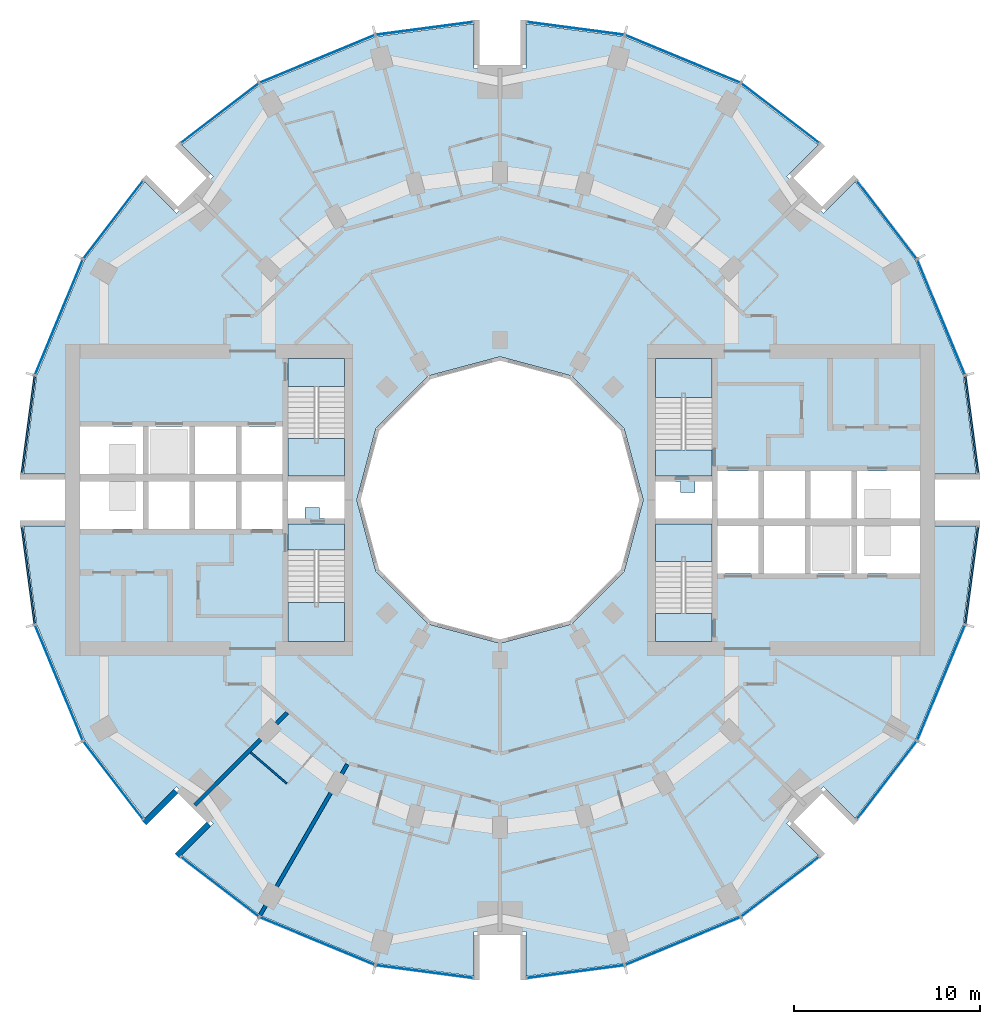
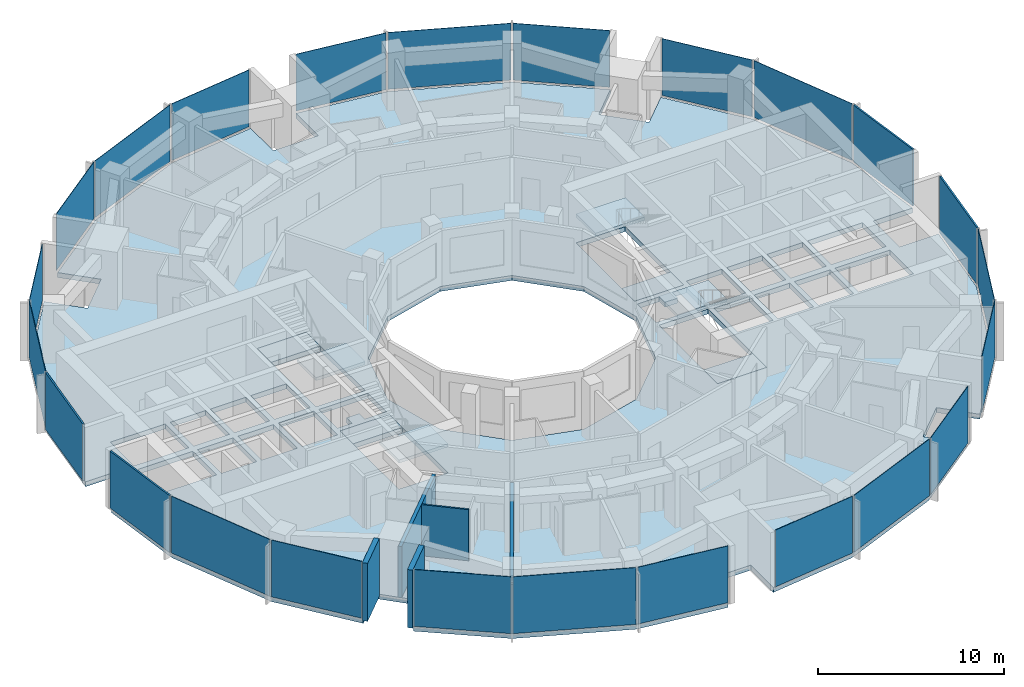
# One storey, part 7 of 15: 24 plates, 9 slabs, 5 walls, 28 elements without a shape of their own.
"""IFC4 building model written with IfcOpenShell, lengths in metres."""

from ifc_helpers import new_model, si_unit, direction, frame, frame_2d, origin, origin_2d, place, context, subcontext, project, spatial, polyline, rectangle, outline, extrude, material, layer, layer_set, type_object, element, aggregate, save


model = new_model("IFC4")

# Units and contexts
model_context = context("Model", 3, precision=1e-05, world=origin(), true_north=direction((0.0, 1.0)))
body_context = subcontext(model_context, "Body", "Model", "MODEL_VIEW")
ifc_project = project(units=[si_unit("LENGTHUNIT", "METRE"), si_unit("AREAUNIT", "SQUARE_METRE"), si_unit("VOLUMEUNIT", "CUBIC_METRE"), si_unit("PLANEANGLEUNIT", "RADIAN"), si_unit("MASSUNIT", "GRAM", prefix="KILO")], contexts=[model_context])

# Site, building, storey
site_placement = place(None, origin())
site = spatial("IfcSite", under=ifc_project, at=site_placement, CompositionType="ELEMENT")
building_placement = place(site_placement, origin())
building = spatial("IfcBuilding", under=site, at=building_placement, Name="Torre Brocal", CompositionType="ELEMENT")
storey_placement = place(building_placement, frame((0.0, 0.0, 47.800048828125)))
storey = spatial("IfcBuildingStorey", under=building, at=storey_placement, Name="L10", CompositionType="ELEMENT", Elevation=47.800048828125)

# Curtain wall, plate
ifc_material_1 = material(Name="Aluminium and glass", Category="aluminium")
ifc_layer_1 = layer(ifc_material_1, 0.199951171875)
ifc_layer_set_1 = layer_set([ifc_layer_1], Name="Aluminium and glass")
curtain_wall_type_1 = type_object("IfcCurtainWallType", Name="CW-1 CURTAIN WALL 3800 HIGH", PredefinedType="NOTDEFINED", material=ifc_layer_set_1)
curtain_wall_1_placement = place(storey_placement, origin())
curtain_wall_1 = element("IfcCurtainWall", 1, at=curtain_wall_1_placement, inside=storey, type_object=curtain_wall_type_1, Name="CW-1 RUN 2", PredefinedType="NOTDEFINED")
ifc_material_2 = material(Name="Glass, dark tinted laminated", Category="glass")
ifc_layer_2 = layer(ifc_material_2, 0.031982421875)
ifc_layer_set_2 = layer_set([ifc_layer_2], Name="Glass, dark tinted laminated")
plate_type_1 = type_object("IfcPlateType", Name="CW-1 GLASS PANEL 32", PredefinedType="CURTAIN_PANEL", material=ifc_layer_set_2)
plate_1_placement = place(storey_placement, frame((103.722900390625, 84.826416015625, 0.080078125), z_axis=(0.0, 0.0, 1.0), x_axis=(-0.382683432333, 0.923879532525, 0.0)))
plate_1 = element("IfcPlate", 2, at=plate_1_placement, type_object=plate_type_1, Name="CW1-1 panel 1.1", PredefinedType="CURTAIN_PANEL", context=body_context, shape_type="SweptSolid", body=[
    extrude(rectangle(XDim=6.64111328125, YDim=0.031982421875, at=origin_2d()), origin(), (0.0, 0.0, 1.0), 3.719970703125),
])
aggregate(curtain_wall_1, [plate_1])

curtain_wall_2_placement = place(storey_placement, origin())
curtain_wall_2 = element("IfcCurtainWall", 3, at=curtain_wall_2_placement, inside=storey, type_object=curtain_wall_type_1, Name="CW-1 RUN 3", PredefinedType="NOTDEFINED")
plate_2_placement = place(storey_placement, frame((100.80126953125, 90.0712890625, 0.080078125), z_axis=(0.0, 0.0, 1.0), x_axis=(-0.60876142905, 0.793353340259, 0.0)))
plate_2 = element("IfcPlate", 4, at=plate_2_placement, type_object=plate_type_1, Name="CW1-1 panel 1.1", PredefinedType="CURTAIN_PANEL", context=body_context, shape_type="SweptSolid", body=[
    extrude(rectangle(XDim=5.22900390625, YDim=0.031982421875, at=origin_2d()), origin(), (0.0, 0.0, 1.0), 3.719970703125),
])
aggregate(curtain_wall_2, [plate_2])

curtain_wall_3_placement = place(storey_placement, origin())
curtain_wall_3 = element("IfcCurtainWall", 5, at=curtain_wall_3_placement, inside=storey, type_object=curtain_wall_type_1, Name="CW-1 RUN 4", PredefinedType="NOTDEFINED")
plate_3_placement = place(storey_placement, frame((95.0712890625, 95.80126953125, 0.080078125), z_axis=(0.0, 0.0, 1.0), x_axis=(-0.793353340259, 0.60876142905, 0.0)))
plate_3 = element("IfcPlate", 6, at=plate_3_placement, type_object=plate_type_1, Name="CW1-1 panel 1.1", PredefinedType="CURTAIN_PANEL", context=body_context, shape_type="SweptSolid", body=[
    extrude(rectangle(XDim=5.22900390625, YDim=0.031982421875, at=origin_2d()), origin(), (0.0, 0.0, 1.0), 3.719970703125),
])
aggregate(curtain_wall_3, [plate_3])

curtain_wall_4_placement = place(storey_placement, origin())
curtain_wall_4 = element("IfcCurtainWall", 7, at=curtain_wall_4_placement, inside=storey, type_object=curtain_wall_type_1, Name="CW-1 RUN 5", PredefinedType="NOTDEFINED")
plate_4_placement = place(storey_placement, frame((89.826416015625, 98.722900390625, 0.080078125), z_axis=(0.0, 0.0, 1.0), x_axis=(-0.923879532525, 0.382683432333, 0.0)))
plate_4 = element("IfcPlate", 8, at=plate_4_placement, type_object=plate_type_1, Name="CW1-1 panel 1.1", PredefinedType="CURTAIN_PANEL", context=body_context, shape_type="SweptSolid", body=[
    extrude(rectangle(XDim=6.64111328125, YDim=0.031982421875, at=origin_2d()), origin(), (0.0, 0.0, 1.0), 3.719970703125),
])
aggregate(curtain_wall_4, [plate_4])

curtain_wall_5_placement = place(storey_placement, origin())
curtain_wall_5 = element("IfcCurtainWall", 9, at=curtain_wall_5_placement, inside=storey, type_object=curtain_wall_type_1, Name="CW-1 RUN 6", PredefinedType="NOTDEFINED")
plate_5_placement = place(storey_placement, frame((84.051513671875, 100.36572265625, 0.080078125), z_axis=(0.0, 0.0, 1.0), x_axis=(-0.991444861374, 0.13052619222, 0.0)))
plate_5 = element("IfcPlate", 10, at=plate_5_placement, type_object=plate_type_1, Name="CW1-1 panel 1.1", PredefinedType="CURTAIN_PANEL", context=body_context, shape_type="SweptSolid", body=[
    extrude(rectangle(XDim=5.22900390625, YDim=0.031982421875, at=origin_2d()), origin(), (0.0, 0.0, 1.0), 3.719970703125),
])
aggregate(curtain_wall_5, [plate_5])

curtain_wall_6_placement = place(storey_placement, origin())
curtain_wall_6 = element("IfcCurtainWall", 11, at=curtain_wall_6_placement, inside=storey, type_object=curtain_wall_type_1, Name="CW-1 RUN 7", PredefinedType="NOTDEFINED")
plate_6_placement = place(storey_placement, frame((75.948486328125, 100.36572265625, 0.080078125), z_axis=(0.0, 0.0, 1.0), x_axis=(-0.991444861374, -0.13052619222, 0.0)))
plate_6 = element("IfcPlate", 12, at=plate_6_placement, type_object=plate_type_1, Name="CW1-1 panel 1.1", PredefinedType="CURTAIN_PANEL", context=body_context, shape_type="SweptSolid", body=[
    extrude(rectangle(XDim=5.22900390625, YDim=0.031982421875, at=origin_2d()), origin(), (0.0, 0.0, 1.0), 3.719970703125),
])
aggregate(curtain_wall_6, [plate_6])

curtain_wall_7_placement = place(storey_placement, origin())
curtain_wall_7 = element("IfcCurtainWall", 13, at=curtain_wall_7_placement, inside=storey, type_object=curtain_wall_type_1, Name="CW-1 RUN 8", PredefinedType="NOTDEFINED")
plate_7_placement = place(storey_placement, frame((70.173583984375, 98.722900390625, 0.080078125), z_axis=(0.0, 0.0, 1.0), x_axis=(-0.923879532525, -0.382683432333, 0.0)))
plate_7 = element("IfcPlate", 14, at=plate_7_placement, type_object=plate_type_1, Name="CW1-1 panel 1.1", PredefinedType="CURTAIN_PANEL", context=body_context, shape_type="SweptSolid", body=[
    extrude(rectangle(XDim=6.64111328125, YDim=0.031982421875, at=origin_2d()), origin(), (0.0, 0.0, 1.0), 3.719970703125),
])
aggregate(curtain_wall_7, [plate_7])

curtain_wall_8_placement = place(storey_placement, origin())
curtain_wall_8 = element("IfcCurtainWall", 15, at=curtain_wall_8_placement, inside=storey, type_object=curtain_wall_type_1, Name="CW-1 RUN 9", PredefinedType="NOTDEFINED")
plate_8_placement = place(storey_placement, frame((64.9287109375, 95.80126953125, 0.080078125), z_axis=(0.0, 0.0, 1.0), x_axis=(-0.793353340259, -0.60876142905, 0.0)))
plate_8 = element("IfcPlate", 16, at=plate_8_placement, type_object=plate_type_1, Name="CW1-1 panel 1.1", PredefinedType="CURTAIN_PANEL", context=body_context, shape_type="SweptSolid", body=[
    extrude(rectangle(XDim=5.22900390625, YDim=0.031982421875, at=origin_2d()), origin(), (0.0, 0.0, 1.0), 3.719970703125),
])
aggregate(curtain_wall_8, [plate_8])

curtain_wall_9_placement = place(storey_placement, origin())
curtain_wall_9 = element("IfcCurtainWall", 17, at=curtain_wall_9_placement, inside=storey, type_object=curtain_wall_type_1, Name="CW-1 RUN 10", PredefinedType="NOTDEFINED")
plate_9_placement = place(storey_placement, frame((59.19873046875, 90.0712890625, 0.080078125), z_axis=(0.0, 0.0, 1.0), x_axis=(-0.60876142905, -0.793353340259, 0.0)))
plate_9 = element("IfcPlate", 18, at=plate_9_placement, type_object=plate_type_1, Name="CW1-1 panel 1.1", PredefinedType="CURTAIN_PANEL", context=body_context, shape_type="SweptSolid", body=[
    extrude(rectangle(XDim=5.22900390625, YDim=0.031982421875, at=origin_2d()), origin(), (0.0, 0.0, 1.0), 3.719970703125),
])
aggregate(curtain_wall_9, [plate_9])

curtain_wall_10_placement = place(storey_placement, origin())
curtain_wall_10 = element("IfcCurtainWall", 19, at=curtain_wall_10_placement, inside=storey, type_object=curtain_wall_type_1, Name="CW-1 RUN 11", PredefinedType="NOTDEFINED")
plate_10_placement = place(storey_placement, frame((56.277099609375, 84.826416015625, 0.080078125), z_axis=(0.0, 0.0, 1.0), x_axis=(-0.382683432333, -0.923879532525, 0.0)))
plate_10 = element("IfcPlate", 20, at=plate_10_placement, type_object=plate_type_1, Name="CW1-1 panel 1.1", PredefinedType="CURTAIN_PANEL", context=body_context, shape_type="SweptSolid", body=[
    extrude(rectangle(XDim=6.64111328125, YDim=0.031982421875, at=origin_2d()), origin(), (0.0, 0.0, 1.0), 3.719970703125),
])
aggregate(curtain_wall_10, [plate_10])

curtain_wall_11_placement = place(storey_placement, origin())
curtain_wall_11 = element("IfcCurtainWall", 21, at=curtain_wall_11_placement, inside=storey, type_object=curtain_wall_type_1, Name="CW-1 RUN 14", PredefinedType="NOTDEFINED")
plate_11_placement = place(storey_placement, frame((56.277099609375, 65.173583984375, 0.080078125), z_axis=(0.0, 0.0, 1.0), x_axis=(0.382683432333, -0.923879532525, 0.0)))
plate_11 = element("IfcPlate", 22, at=plate_11_placement, type_object=plate_type_1, Name="CW1-1 panel 1.1", PredefinedType="CURTAIN_PANEL", context=body_context, shape_type="SweptSolid", body=[
    extrude(rectangle(XDim=6.64111328125, YDim=0.031982421875, at=origin_2d()), origin(), (0.0, 0.0, 1.0), 3.719970703125),
])
aggregate(curtain_wall_11, [plate_11])

curtain_wall_12_placement = place(storey_placement, origin())
curtain_wall_12 = element("IfcCurtainWall", 23, at=curtain_wall_12_placement, inside=storey, type_object=curtain_wall_type_1, Name="CW-1 RUN 15", PredefinedType="NOTDEFINED")
plate_12_placement = place(storey_placement, frame((59.19873046875, 59.9287109375, 0.080078125), z_axis=(0.0, 0.0, 1.0), x_axis=(0.60876142905, -0.793353340259, 0.0)))
plate_12 = element("IfcPlate", 24, at=plate_12_placement, type_object=plate_type_1, Name="CW1-1 panel 1.1", PredefinedType="CURTAIN_PANEL", context=body_context, shape_type="SweptSolid", body=[
    extrude(rectangle(XDim=5.22900390625, YDim=0.031982421875, at=origin_2d()), origin(), (0.0, 0.0, 1.0), 3.719970703125),
])
aggregate(curtain_wall_12, [plate_12])

curtain_wall_13_placement = place(storey_placement, origin())
curtain_wall_13 = element("IfcCurtainWall", 25, at=curtain_wall_13_placement, inside=storey, type_object=curtain_wall_type_1, Name="CW-1 RUN 16", PredefinedType="NOTDEFINED")
plate_13_placement = place(storey_placement, frame((64.9287109375, 54.19873046875, 0.080078125), z_axis=(0.0, 0.0, 1.0), x_axis=(0.793353340259, -0.60876142905, 0.0)))
plate_13 = element("IfcPlate", 26, at=plate_13_placement, type_object=plate_type_1, Name="CW1-1 panel 1.1", PredefinedType="CURTAIN_PANEL", context=body_context, shape_type="SweptSolid", body=[
    extrude(rectangle(XDim=5.22900390625, YDim=0.031982421875, at=origin_2d()), origin(), (0.0, 0.0, 1.0), 3.719970703125),
])
aggregate(curtain_wall_13, [plate_13])

curtain_wall_14_placement = place(storey_placement, origin())
curtain_wall_14 = element("IfcCurtainWall", 27, at=curtain_wall_14_placement, inside=storey, type_object=curtain_wall_type_1, Name="CW-1 RUN 17", PredefinedType="NOTDEFINED")
plate_14_placement = place(storey_placement, frame((70.173583984375, 51.277099609375, 0.080078125), z_axis=(0.0, 0.0, 1.0), x_axis=(0.923879532525, -0.382683432333, 0.0)))
plate_14 = element("IfcPlate", 28, at=plate_14_placement, type_object=plate_type_1, Name="CW1-1 panel 1.1", PredefinedType="CURTAIN_PANEL", context=body_context, shape_type="SweptSolid", body=[
    extrude(rectangle(XDim=6.64111328125, YDim=0.031982421875, at=origin_2d()), origin(), (0.0, 0.0, 1.0), 3.719970703125),
])
aggregate(curtain_wall_14, [plate_14])

curtain_wall_15_placement = place(storey_placement, origin())
curtain_wall_15 = element("IfcCurtainWall", 29, at=curtain_wall_15_placement, inside=storey, type_object=curtain_wall_type_1, Name="CW-1 RUN 18", PredefinedType="NOTDEFINED")
plate_15_placement = place(storey_placement, frame((75.948486328125, 49.63427734375, 0.080078125), z_axis=(0.0, 0.0, 1.0), x_axis=(0.991444861374, -0.13052619222, 0.0)))
plate_15 = element("IfcPlate", 30, at=plate_15_placement, type_object=plate_type_1, Name="CW1-1 panel 1.1", PredefinedType="CURTAIN_PANEL", context=body_context, shape_type="SweptSolid", body=[
    extrude(rectangle(XDim=5.22900390625, YDim=0.031982421875, at=origin_2d()), origin(), (0.0, 0.0, 1.0), 3.719970703125),
])
aggregate(curtain_wall_15, [plate_15])

curtain_wall_16_placement = place(storey_placement, origin())
curtain_wall_16 = element("IfcCurtainWall", 31, at=curtain_wall_16_placement, inside=storey, type_object=curtain_wall_type_1, Name="CW-1 RUN 19", PredefinedType="NOTDEFINED")
plate_16_placement = place(storey_placement, frame((84.051513671875, 49.63427734375, 0.080078125), z_axis=(0.0, 0.0, 1.0), x_axis=(0.991444861374, 0.13052619222, 0.0)))
plate_16 = element("IfcPlate", 32, at=plate_16_placement, type_object=plate_type_1, Name="CW1-1 panel 1.1", PredefinedType="CURTAIN_PANEL", context=body_context, shape_type="SweptSolid", body=[
    extrude(rectangle(XDim=5.22900390625, YDim=0.031982421875, at=origin_2d()), origin(), (0.0, 0.0, 1.0), 3.719970703125),
])
aggregate(curtain_wall_16, [plate_16])

curtain_wall_17_placement = place(storey_placement, origin())
curtain_wall_17 = element("IfcCurtainWall", 33, at=curtain_wall_17_placement, inside=storey, type_object=curtain_wall_type_1, Name="CW-1 RUN 20", PredefinedType="NOTDEFINED")
plate_17_placement = place(storey_placement, frame((89.826416015625, 51.277099609375, 0.080078125), z_axis=(0.0, 0.0, 1.0), x_axis=(0.923879532525, 0.382683432333, 0.0)))
plate_17 = element("IfcPlate", 34, at=plate_17_placement, type_object=plate_type_1, Name="CW1-1 panel 1.1", PredefinedType="CURTAIN_PANEL", context=body_context, shape_type="SweptSolid", body=[
    extrude(rectangle(XDim=6.64111328125, YDim=0.031982421875, at=origin_2d()), origin(), (0.0, 0.0, 1.0), 3.719970703125),
])
aggregate(curtain_wall_17, [plate_17])

curtain_wall_18_placement = place(storey_placement, origin())
curtain_wall_18 = element("IfcCurtainWall", 35, at=curtain_wall_18_placement, inside=storey, type_object=curtain_wall_type_1, Name="CW-1 RUN 21", PredefinedType="NOTDEFINED")
plate_18_placement = place(storey_placement, frame((95.0712890625, 54.19873046875, 0.080078125), z_axis=(0.0, 0.0, 1.0), x_axis=(0.793353340259, 0.60876142905, 0.0)))
plate_18 = element("IfcPlate", 36, at=plate_18_placement, type_object=plate_type_1, Name="CW1-1 panel 1.1", PredefinedType="CURTAIN_PANEL", context=body_context, shape_type="SweptSolid", body=[
    extrude(rectangle(XDim=5.22900390625, YDim=0.031982421875, at=origin_2d()), origin(), (0.0, 0.0, 1.0), 3.719970703125),
])
aggregate(curtain_wall_18, [plate_18])

curtain_wall_19_placement = place(storey_placement, origin())
curtain_wall_19 = element("IfcCurtainWall", 37, at=curtain_wall_19_placement, inside=storey, type_object=curtain_wall_type_1, Name="CW-1 RUN 22", PredefinedType="NOTDEFINED")
plate_19_placement = place(storey_placement, frame((100.80126953125, 59.9287109375, 0.080078125), z_axis=(0.0, 0.0, 1.0), x_axis=(0.60876142905, 0.793353340259, 0.0)))
plate_19 = element("IfcPlate", 38, at=plate_19_placement, type_object=plate_type_1, Name="CW1-1 panel 1.1", PredefinedType="CURTAIN_PANEL", context=body_context, shape_type="SweptSolid", body=[
    extrude(rectangle(XDim=5.22900390625, YDim=0.031982421875, at=origin_2d()), origin(), (0.0, 0.0, 1.0), 3.719970703125),
])
aggregate(curtain_wall_19, [plate_19])

curtain_wall_20_placement = place(storey_placement, origin())
curtain_wall_20 = element("IfcCurtainWall", 39, at=curtain_wall_20_placement, inside=storey, type_object=curtain_wall_type_1, Name="CW-1 RUN 23", PredefinedType="NOTDEFINED")
plate_20_placement = place(storey_placement, frame((103.722900390625, 65.173583984375, 0.080078125), z_axis=(0.0, 0.0, 1.0), x_axis=(0.382683432333, 0.923879532525, 0.0)))
plate_20 = element("IfcPlate", 40, at=plate_20_placement, type_object=plate_type_1, Name="CW1-1 panel 1.1", PredefinedType="CURTAIN_PANEL", context=body_context, shape_type="SweptSolid", body=[
    extrude(rectangle(XDim=6.64111328125, YDim=0.031982421875, at=origin_2d()), origin(), (0.0, 0.0, 1.0), 3.719970703125),
])
aggregate(curtain_wall_20, [plate_20])

ifc_material_3 = material(Name="Aluminium and glass", Category="aluminium")
ifc_layer_3 = layer(ifc_material_3, 0.199951171875)
ifc_layer_set_3 = layer_set([ifc_layer_3], Name="Aluminium and glass")
curtain_wall_type_2 = type_object("IfcCurtainWallType", Name="CW-1B CURTAIN WALL 3800 HIGH", PredefinedType="NOTDEFINED", material=ifc_layer_set_3)
curtain_wall_21_placement = place(storey_placement, origin())
curtain_wall_21 = element("IfcCurtainWall", 41, at=curtain_wall_21_placement, inside=storey, type_object=curtain_wall_type_2, Name="CW-1B RUN 1", PredefinedType="NOTDEFINED")
ifc_material_4 = material(Name="Aluminium composite panel", Category="aluminium")
ifc_layer_4 = layer(ifc_material_4, 0.10009765625)
ifc_layer_set_4 = layer_set([ifc_layer_4], Name="Aluminium composite panel")
plate_type_2 = type_object("IfcPlateType", Name="CW-1B OPAQUE PANEL 100", PredefinedType="CURTAIN_PANEL", material=ifc_layer_set_4)
plate_21_placement = place(storey_placement, frame((105.36572265625, 79.051513671875, 0.080078125), z_axis=(0.0, 0.0, 1.0), x_axis=(-0.13052619222, 0.991444861374, 0.0)))
plate_21 = element("IfcPlate", 42, at=plate_21_placement, type_object=plate_type_2, Name="CW1B-1 panel 1.1", PredefinedType="CURTAIN_PANEL", context=body_context, shape_type="SweptSolid", body=[
    extrude(rectangle(XDim=5.22900390625, YDim=0.10009765625, at=origin_2d()), origin(), (0.0, 0.0, 1.0), 3.719970703125),
])
aggregate(curtain_wall_21, [plate_21])

curtain_wall_22_placement = place(storey_placement, origin())
curtain_wall_22 = element("IfcCurtainWall", 43, at=curtain_wall_22_placement, inside=storey, type_object=curtain_wall_type_2, Name="CW-1B RUN 12", PredefinedType="NOTDEFINED")
plate_22_placement = place(storey_placement, frame((54.63427734375, 79.051513671875, 0.080078125), z_axis=(0.0, 0.0, 1.0), x_axis=(-0.13052619222, -0.991444861374, 0.0)))
plate_22 = element("IfcPlate", 44, at=plate_22_placement, type_object=plate_type_2, Name="CW1B-1 panel 1.1", PredefinedType="CURTAIN_PANEL", context=body_context, shape_type="SweptSolid", body=[
    extrude(rectangle(XDim=5.22900390625, YDim=0.10009765625, at=origin_2d()), origin(), (0.0, 0.0, 1.0), 3.719970703125),
])
aggregate(curtain_wall_22, [plate_22])

curtain_wall_23_placement = place(storey_placement, origin())
curtain_wall_23 = element("IfcCurtainWall", 45, at=curtain_wall_23_placement, inside=storey, type_object=curtain_wall_type_2, Name="CW-1B RUN 13", PredefinedType="NOTDEFINED")
plate_23_placement = place(storey_placement, frame((54.63427734375, 70.948486328125, 0.080078125), z_axis=(0.0, 0.0, 1.0), x_axis=(0.13052619222, -0.991444861374, 0.0)))
plate_23 = element("IfcPlate", 46, at=plate_23_placement, type_object=plate_type_2, Name="CW1B-1 panel 1.1", PredefinedType="CURTAIN_PANEL", context=body_context, shape_type="SweptSolid", body=[
    extrude(rectangle(XDim=5.22900390625, YDim=0.10009765625, at=origin_2d()), origin(), (0.0, 0.0, 1.0), 3.719970703125),
])
aggregate(curtain_wall_23, [plate_23])

curtain_wall_24_placement = place(storey_placement, origin())
curtain_wall_24 = element("IfcCurtainWall", 47, at=curtain_wall_24_placement, inside=storey, type_object=curtain_wall_type_2, Name="CW-1B RUN 24", PredefinedType="NOTDEFINED")
plate_24_placement = place(storey_placement, frame((105.36572265625, 70.948486328125, 0.080078125), z_axis=(0.0, 0.0, 1.0), x_axis=(0.13052619222, 0.991444861374, 0.0)))
plate_24 = element("IfcPlate", 48, at=plate_24_placement, type_object=plate_type_2, Name="CW1B-1 panel 1.1", PredefinedType="CURTAIN_PANEL", context=body_context, shape_type="SweptSolid", body=[
    extrude(rectangle(XDim=5.22900390625, YDim=0.10009765625, at=origin_2d()), origin(), (0.0, 0.0, 1.0), 3.719970703125),
])
aggregate(curtain_wall_24, [plate_24])

# Stair, slab
ifc_material_5 = material(Name="Concrete C50", Category="concrete")
stair_type = type_object("IfcStairType", Name="EXIT STAIR", PredefinedType="HALF_TURN_STAIR", material=ifc_material_5)
stair_1_placement = place(storey_placement, origin())
stair_1 = element("IfcStair", 49, at=stair_1_placement, inside=storey, type_object=stair_type, Name="EXIT STAIR ST1", PredefinedType="HALF_TURN_STAIR")
ifc_material_6 = material(Name="Concrete C50", Category="concrete")
ifc_layer_5 = layer(ifc_material_6, 0.320068359375)
ifc_layer_set_5 = layer_set([ifc_layer_5], Name="Concrete C50")
slab_type_1 = type_object("IfcSlabType", Name="FLOOR LANDING 320", PredefinedType="LANDING", material=ifc_layer_set_5)
slab_1_placement = place(storey_placement, frame((0.0, 0.0, -0.320068359375)))
slab_1 = element("IfcSlab", 50, at=slab_1_placement, type_object=slab_type_1, Name="ST1 landing 1", PredefinedType="LANDING", context=body_context, shape_type="SweptSolid", body=[
    extrude(outline(polyline([(88.35009765625, 76.300048828125), (91.39990234375, 76.300048828125), (91.39990234375, 77.699951171875), (88.35009765625, 77.699951171875), (88.35009765625, 76.300048828125)])), origin(), (0.0, 0.0, 1.0), 0.320068359375),
])

stair_2_placement = place(storey_placement, origin())
stair_2 = element("IfcStair", 51, at=stair_2_placement, inside=storey, type_object=stair_type, Name="EXIT STAIR ST2", PredefinedType="HALF_TURN_STAIR")
slab_2_placement = place(storey_placement, frame((0.0, 0.0, -0.320068359375)))
slab_2 = element("IfcSlab", 52, at=slab_2_placement, type_object=slab_type_1, Name="ST2 landing 1", PredefinedType="LANDING", context=body_context, shape_type="SweptSolid", body=[
    extrude(outline(polyline([(88.35009765625, 67.39990234375), (91.39990234375, 67.39990234375), (91.39990234375, 68.89990234375), (88.35009765625, 68.89990234375), (88.35009765625, 67.39990234375)])), origin(), (0.0, 0.0, 1.0), 0.320068359375),
])

stair_3_placement = place(storey_placement, origin())
stair_3 = element("IfcStair", 53, at=stair_3_placement, inside=storey, type_object=stair_type, Name="EXIT STAIR ST3", PredefinedType="HALF_TURN_STAIR")
slab_3_placement = place(storey_placement, frame((0.0, 0.0, -0.320068359375)))
slab_3 = element("IfcSlab", 54, at=slab_3_placement, type_object=slab_type_1, Name="ST3 landing 1", PredefinedType="LANDING", context=body_context, shape_type="SweptSolid", body=[
    extrude(outline(polyline([(71.64990234375, 73.699951171875), (68.60009765625, 73.699951171875), (68.60009765625, 72.300048828125), (71.64990234375, 72.300048828125), (71.64990234375, 73.699951171875)])), origin(), (0.0, 0.0, 1.0), 0.320068359375),
])

stair_4_placement = place(storey_placement, origin())
stair_4 = element("IfcStair", 55, at=stair_4_placement, inside=storey, type_object=stair_type, Name="EXIT STAIR ST4", PredefinedType="HALF_TURN_STAIR")
slab_4_placement = place(storey_placement, frame((0.0, 0.0, -0.320068359375)))
slab_4 = element("IfcSlab", 56, at=slab_4_placement, type_object=slab_type_1, Name="ST4 landing 1", PredefinedType="LANDING", context=body_context, shape_type="SweptSolid", body=[
    extrude(outline(polyline([(71.64990234375, 82.60009765625), (68.60009765625, 82.60009765625), (68.60009765625, 81.10009765625), (71.64990234375, 81.10009765625), (71.64990234375, 82.60009765625)])), origin(), (0.0, 0.0, 1.0), 0.320068359375),
])

# Slab
ifc_material_7 = material(Name="Concrete C50", Category="concrete")
ifc_layer_6 = layer(ifc_material_7, 0.199951171875)
ifc_layer_set_6 = layer_set([ifc_layer_6], Name="Concrete C50")
slab_type_2 = type_object("IfcSlabType", Name="MID LANDING +1900", PredefinedType="LANDING", material=ifc_layer_set_6)
slab_5_placement = place(storey_placement, frame((0.0, 0.0, 1.699951171875)))
slab_5 = element("IfcSlab", 57, at=slab_5_placement, type_object=slab_type_2, Name="ST1 landing 2", PredefinedType="LANDING", context=body_context, shape_type="SweptSolid", body=[
    extrude(outline(polyline([(88.35009765625, 80.5), (91.39990234375, 80.5), (91.39990234375, 82.60009765625), (88.35009765625, 82.60009765625), (88.35009765625, 80.5)])), origin(), (0.0, 0.0, 1.0), 0.199951171875),
])

aggregate(stair_1, [slab_1, slab_5])

slab_6_placement = place(storey_placement, frame((0.0, 0.0, 1.699951171875)))
slab_6 = element("IfcSlab", 58, at=slab_6_placement, type_object=slab_type_2, Name="ST2 landing 2", PredefinedType="LANDING", context=body_context, shape_type="SweptSolid", body=[
    extrude(outline(polyline([(88.35009765625, 71.699951171875), (91.39990234375, 71.699951171875), (91.39990234375, 73.699951171875), (88.35009765625, 73.699951171875), (88.35009765625, 71.699951171875)])), origin(), (0.0, 0.0, 1.0), 0.199951171875),
])

aggregate(stair_2, [slab_2, slab_6])

slab_7_placement = place(storey_placement, frame((0.0, 0.0, 1.699951171875)))
slab_7 = element("IfcSlab", 59, at=slab_7_placement, type_object=slab_type_2, Name="ST3 landing 2", PredefinedType="LANDING", context=body_context, shape_type="SweptSolid", body=[
    extrude(outline(polyline([(71.64990234375, 69.5), (68.60009765625, 69.5), (68.60009765625, 67.39990234375), (71.64990234375, 67.39990234375), (71.64990234375, 69.5)])), origin(), (0.0, 0.0, 1.0), 0.199951171875),
])

aggregate(stair_3, [slab_3, slab_7])

slab_8_placement = place(storey_placement, frame((0.0, 0.0, 1.699951171875)))
slab_8 = element("IfcSlab", 60, at=slab_8_placement, type_object=slab_type_2, Name="ST4 landing 2", PredefinedType="LANDING", context=body_context, shape_type="SweptSolid", body=[
    extrude(outline(polyline([(71.64990234375, 78.300048828125), (68.60009765625, 78.300048828125), (68.60009765625, 76.300048828125), (71.64990234375, 76.300048828125), (71.64990234375, 78.300048828125)])), origin(), (0.0, 0.0, 1.0), 0.199951171875),
])

aggregate(stair_4, [slab_4, slab_8])

ifc_material_8 = material(Name="Concrete C45", Category="concrete")
ifc_layer_7 = layer(ifc_material_8, 0.320068359375)
ifc_layer_set_7 = layer_set([ifc_layer_7], Name="Concrete C45")
slab_type_3 = type_object("IfcSlabType", Name="PT FLOOR SLAB 320 C45", PredefinedType="FLOOR", material=ifc_layer_set_7)
slab_9_placement = place(storey_placement, frame((0.0, 0.0, -0.320068359375)))
element("IfcSlab", 61, at=slab_9_placement, inside=storey, type_object=slab_type_3, Name="Slab ST-05", PredefinedType="FLOOR", context=body_context, shape_type="SweptSolid", body=[
    extrude(outline(polyline([(103.199951171875, 76.39990234375), (103.199951171875, 73.60009765625), (105.614013671875, 73.60009765625), (104.919189453125, 68.322998046875), (102.342041015625, 62.100830078125), (99.101806640625, 57.878173828125), (97.394775390625, 59.5849609375), (95.4150390625, 57.605224609375), (97.121826171875, 55.898193359375), (92.899169921875, 52.657958984375), (86.677001953125, 50.080810546875), (81.39990234375, 49.385986328125), (81.39990234375, 51.800048828125), (78.60009765625, 51.800048828125), (78.60009765625, 49.385986328125), (73.322998046875, 50.080810546875), (67.100830078125, 52.657958984375), (62.878173828125, 55.898193359375), (64.5849609375, 57.605224609375), (62.605224609375, 59.5849609375), (60.898193359375, 57.878173828125), (57.657958984375, 62.100830078125), (55.080810546875, 68.322998046875), (54.385986328125, 73.60009765625), (56.800048828125, 73.60009765625), (56.800048828125, 76.39990234375), (54.385986328125, 76.39990234375), (55.080810546875, 81.677001953125), (57.657958984375, 87.899169921875), (60.898193359375, 92.121826171875), (62.605224609375, 90.4150390625), (64.5849609375, 92.394775390625), (62.878173828125, 94.101806640625), (67.100830078125, 97.342041015625), (73.322998046875, 99.919189453125), (78.60009765625, 100.614013671875), (78.60009765625, 98.199951171875), (81.39990234375, 98.199951171875), (81.39990234375, 100.614013671875), (86.677001953125, 99.919189453125), (92.899169921875, 97.342041015625), (97.121826171875, 94.101806640625), (95.4150390625, 92.394775390625), (97.394775390625, 90.4150390625), (99.101806640625, 92.121826171875), (102.342041015625, 87.899169921875), (104.919189453125, 81.677001953125), (105.614013671875, 76.39990234375), (103.199951171875, 76.39990234375)]), holes=[polyline([(102.60009765625, 74.0), (102.60009765625, 76.550048828125), (99.199951171875, 76.550048828125), (99.199951171875, 74.0), (102.60009765625, 74.0)]), polyline([(102.60009765625, 71.050048828125), (102.60009765625, 73.60009765625), (99.199951171875, 73.60009765625), (99.199951171875, 71.050048828125), (102.60009765625, 71.050048828125)]), polyline([(98.89990234375, 76.550048828125), (96.699951171875, 76.550048828125), (96.699951171875, 74.0), (98.89990234375, 74.0), (98.89990234375, 76.550048828125)]), polyline([(98.89990234375, 71.050048828125), (98.89990234375, 73.60009765625), (96.699951171875, 73.60009765625), (96.699951171875, 71.050048828125), (98.89990234375, 71.050048828125)]), polyline([(96.39990234375, 73.60009765625), (94.199951171875, 73.60009765625), (94.199951171875, 71.050048828125), (96.39990234375, 71.050048828125), (96.39990234375, 73.60009765625)]), polyline([(96.39990234375, 74.0), (96.39990234375, 76.550048828125), (94.199951171875, 76.550048828125), (94.199951171875, 74.0), (96.39990234375, 74.0)]), polyline([(93.89990234375, 73.60009765625), (91.699951171875, 73.60009765625), (91.699951171875, 71.050048828125), (93.89990234375, 71.050048828125), (93.89990234375, 73.60009765625)]), polyline([(93.89990234375, 74.0), (93.89990234375, 76.550048828125), (91.699951171875, 76.550048828125), (91.699951171875, 74.0), (93.89990234375, 74.0)]), polyline([(91.39990234375, 76.300048828125), (91.39990234375, 82.60009765625), (88.35009765625, 82.60009765625), (88.35009765625, 76.300048828125), (91.39990234375, 76.300048828125)]), polyline([(91.39990234375, 73.699951171875), (88.35009765625, 73.699951171875), (88.35009765625, 67.39990234375), (91.39990234375, 67.39990234375), (91.39990234375, 73.699951171875)]), polyline([(89.699951171875, 76.0), (88.35009765625, 76.0), (88.35009765625, 74.0), (91.39990234375, 74.0), (91.39990234375, 76.0), (90.5, 76.0), (90.5, 75.39990234375), (89.699951171875, 75.39990234375), (89.699951171875, 76.0)]), polyline([(80.0, 82.70703125), (76.146484375, 81.674560546875), (73.325439453125, 78.853515625), (72.29296875, 75.0), (73.325439453125, 71.146484375), (76.146484375, 68.325439453125), (80.0, 67.29296875), (83.853515625, 68.325439453125), (86.674560546875, 71.146484375), (87.70703125, 75.0), (86.674560546875, 78.853515625), (83.853515625, 81.674560546875), (80.0, 82.70703125)]), polyline([(68.60009765625, 82.60009765625), (68.60009765625, 76.300048828125), (71.64990234375, 76.300048828125), (71.64990234375, 82.60009765625), (68.60009765625, 82.60009765625)]), polyline([(70.300048828125, 74.0), (71.64990234375, 74.0), (71.64990234375, 76.0), (68.60009765625, 76.0), (68.60009765625, 74.0), (69.5, 74.0), (69.5, 74.60009765625), (70.300048828125, 74.60009765625), (70.300048828125, 74.0)]), polyline([(68.60009765625, 67.39990234375), (71.64990234375, 67.39990234375), (71.64990234375, 73.699951171875), (68.60009765625, 73.699951171875), (68.60009765625, 67.39990234375)]), polyline([(66.10009765625, 78.949951171875), (66.10009765625, 76.39990234375), (68.300048828125, 76.39990234375), (68.300048828125, 78.949951171875), (66.10009765625, 78.949951171875)]), polyline([(66.10009765625, 76.0), (66.10009765625, 73.449951171875), (68.300048828125, 73.449951171875), (68.300048828125, 76.0), (66.10009765625, 76.0)]), polyline([(63.60009765625, 76.0), (63.60009765625, 73.449951171875), (65.800048828125, 73.449951171875), (65.800048828125, 76.0), (63.60009765625, 76.0)]), polyline([(63.60009765625, 76.39990234375), (65.800048828125, 76.39990234375), (65.800048828125, 78.949951171875), (63.60009765625, 78.949951171875), (63.60009765625, 76.39990234375)]), polyline([(61.10009765625, 78.949951171875), (61.10009765625, 76.39990234375), (63.300048828125, 76.39990234375), (63.300048828125, 78.949951171875), (61.10009765625, 78.949951171875)]), polyline([(61.10009765625, 73.449951171875), (63.300048828125, 73.449951171875), (63.300048828125, 76.0), (61.10009765625, 76.0), (61.10009765625, 73.449951171875)]), polyline([(57.39990234375, 73.449951171875), (60.800048828125, 73.449951171875), (60.800048828125, 76.0), (57.39990234375, 76.0), (57.39990234375, 73.449951171875)]), polyline([(57.39990234375, 78.949951171875), (57.39990234375, 76.39990234375), (60.800048828125, 76.39990234375), (60.800048828125, 78.949951171875), (57.39990234375, 78.949951171875)])]), origin(), (0.0, 0.0, 1.0), 0.320068359375),
])

# Walls
ifc_material_9 = material(Name="Concrete C80", Category="concrete")
ifc_layer_8 = layer(ifc_material_9, 0.300048828125)
ifc_layer_set_8 = layer_set([ifc_layer_8], Name="Concrete C80")
wall_type_1 = type_object("IfcWallType", Name="NOTCH RETURN WALL 300 C80", PredefinedType="NOTDEFINED", material=ifc_layer_set_8)
for number, where, z_axis, x_axis, name in (
    (62, (62.56982421875, 59.337646484375, 0.0), (0.0, 0.0, 1.0), (-0.707106781187, -0.707106781187, 0.0), "NOTCH RETURN WALL"),
    (63, (64.337646484375, 57.56982421875, 0.0), (0.0, 0.0, 1.0), (-0.707106781187, -0.707106781187, 0.0), "NOTCH RETURN WALL"),
):
    element("IfcWall", number, at=place(storey_placement, frame(where, z_axis=z_axis, x_axis=x_axis)), inside=storey, type_object=wall_type_1, Name=name, PredefinedType="NOTDEFINED", context=body_context, shape_type="SweptSolid", body=[
        extrude(rectangle(XDim=2.415771484375, YDim=0.300048828125, at=frame_2d((1.2080078125, 0.0))), origin(), (0.0, 0.0, 1.0), 3.800048828125),
    ])
ifc_material_10 = material(Name="Gypsum board", Category="Gypsum")
ifc_layer_9 = layer(ifc_material_10, 0.10009765625)
ifc_layer_set_9 = layer_set([ifc_layer_9], Name="Gypsum board")
wall_type_2 = type_object("IfcWallType", Name="PARTITION 100", PredefinedType="PARTITIONING", material=ifc_layer_set_9)
wall_1_placement = place(storey_placement, frame((66.57568359375, 61.434814453125, 0.0), z_axis=(0.0, 0.0, 1.0), x_axis=(0.757970550281, -0.652288774169, 0.0)))
element("IfcWall", 64, at=wall_1_placement, inside=storey, type_object=wall_type_2, Name="BATHROOM WALL", PredefinedType="PARTITIONING", context=body_context, shape_type="SweptSolid", body=[
    extrude(rectangle(XDim=2.575927734375, YDim=0.10009765625, at=frame_2d((1.2880859375, 0.0))), origin(), (0.0, 0.0, 1.0), 3.349853515625),
])
ifc_material_11 = material(Name="Gypsum board", Category="Gypsum")
ifc_layer_10 = layer(ifc_material_11, 0.199951171875)
ifc_layer_set_10 = layer_set([ifc_layer_10], Name="Gypsum board")
wall_type_3 = type_object("IfcWallType", Name="PARTITION 200 EI60", PredefinedType="PARTITIONING", material=ifc_layer_set_10)
wall_2_placement = place(storey_placement, frame((63.593505859375, 58.597900390625, 0.0), z_axis=(0.0, 0.0, 1.0), x_axis=(0.707228748718, 0.706984792613, 0.0)))
element("IfcWall", 65, at=wall_2_placement, inside=storey, type_object=wall_type_3, Name="BATHROOM WALL", PredefinedType="PARTITIONING", context=body_context, shape_type="SweptSolid", body=[
    extrude(rectangle(XDim=7.00537109375, YDim=0.199951171875, at=frame_2d((3.502685546875, 0.0))), origin(), (0.0, 0.0, 1.0), 3.349853515625),
])
wall_3_placement = place(storey_placement, frame((67.09423828125, 52.66259765625, 0.0), z_axis=(0.0, 0.0, 1.0), x_axis=(0.500216854217, 0.865900166738, 0.0)))
element("IfcWall", 66, at=wall_3_placement, inside=storey, type_object=wall_type_3, Name="PARTY PARTITION", PredefinedType="PARTITIONING", context=body_context, shape_type="SweptSolid", body=[
    extrude(rectangle(XDim=9.374755859375, YDim=0.199951171875, at=frame_2d((4.6875, 0.0))), origin(), (0.0, 0.0, 1.0), 3.349853515625),
])

save(model, "model.ifc")
